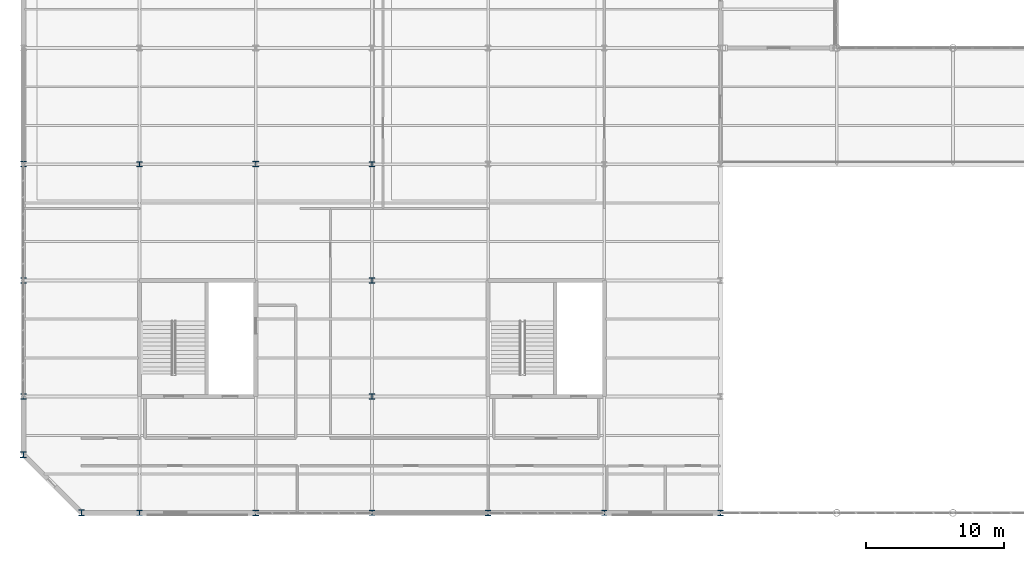
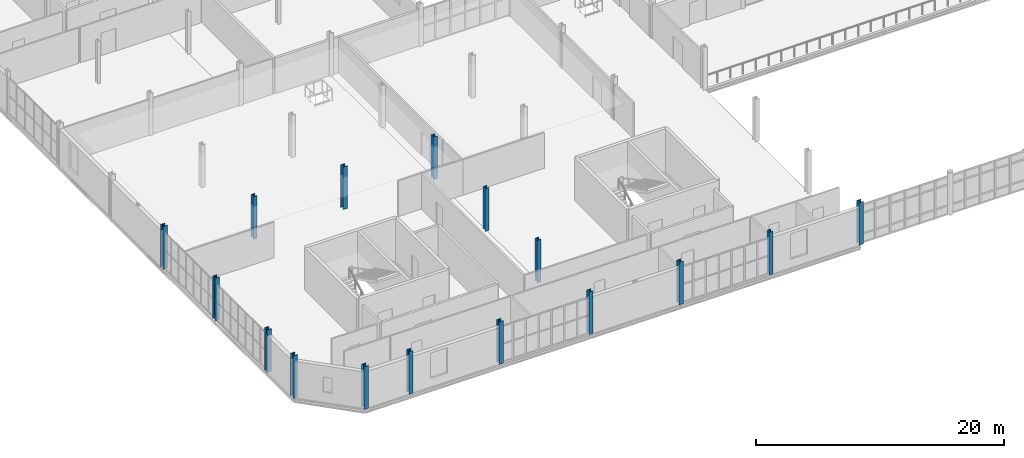
# One storey, part 1 of 163: 16 columns.
"""IFC4 building model written with IfcOpenShell, lengths in metres."""

from ifc_helpers import new_model, si_unit, direction, frame, origin, origin_2d, place, context, subcontext, project, spatial, i_section, extrude, material, material_profile, profile_set, type_object, element, save


model = new_model("IFC4")

# Units and contexts
model_context = context("Model", 3, precision=1e-05, world=origin(), true_north=direction((0.0, 1.0)))
body_context = subcontext(model_context, "Body", "Model", "MODEL_VIEW")
ifc_project = project(units=[si_unit("LENGTHUNIT", "METRE"), si_unit("AREAUNIT", "SQUARE_METRE"), si_unit("VOLUMEUNIT", "CUBIC_METRE"), si_unit("PLANEANGLEUNIT", "RADIAN"), si_unit("MASSUNIT", "GRAM", prefix="KILO")], contexts=[model_context])

# Site, building, storey
site_placement = place(None, origin())
site = spatial("IfcSite", under=ifc_project, at=site_placement, CompositionType="ELEMENT")
building_placement = place(site_placement, origin())
building = spatial("IfcBuilding", under=site, at=building_placement, Name="Qalvenar Corner Mobility Hub", CompositionType="ELEMENT")
storey_placement = place(building_placement, frame((0.0, 0.0, 4.800048828125)))
storey = spatial("IfcBuildingStorey", under=building, at=storey_placement, Name="L01", CompositionType="ELEMENT", Elevation=4.800048828125)

# Columns
ifc_material = material(Name="Steel S355", Category="steel")
ifc_material_profile_1 = material_profile(ifc_material, i_section(OverallWidth=0.376953125, OverallDepth=0.386962890625, WebThickness=0.0224609375, FlangeThickness=0.035888671875, FilletRadius=0.014892578125, at=origin_2d()), Name="HD360x262")
ifc_profile_set_1 = profile_set([ifc_material_profile_1], Name="Steel S355")
column_type_1 = type_object("IfcColumnType", Name="COL-HD360X262", PredefinedType="COLUMN", material=ifc_profile_set_1)
for number, where, z_axis, x_axis, name in (
    (1, (8.39990234375, 0.0, 0.0), (0.0, 0.0, 1.0), (1.0, 0.0, 0.0), "Steel Column L01-G2-0"),
    (2, (8.39990234375, 25.199951171875, 0.0), (0.0, 0.0, 1.0), (1.0, 0.0, 0.0), "Steel Column L01-G2-3"),
    (3, (25.199951171875, 0.0, 0.0), (0.0, 0.0, 1.0), (1.0, 0.0, 0.0), "Steel Column L01-G4-0"),
    (4, (25.199951171875, 8.39990234375, 0.0), (0.0, 0.0, 1.0), (1.0, 0.0, 0.0), "Steel Column L01-G4-1"),
    (5, (25.199951171875, 16.800048828125, 0.0), (0.0, 0.0, 1.0), (1.0, 0.0, 0.0), "Steel Column L01-G4-2"),
    (6, (25.199951171875, 25.199951171875, 0.0), (0.0, 0.0, 1.0), (1.0, 0.0, 0.0), "Steel Column L01-G4-3"),
    (7, (42.0, 0.0, 0.0), (0.0, 0.0, 1.0), (1.0, 0.0, 0.0), "Steel Column L01-G6-0"),
):
    element("IfcColumn", number, at=place(storey_placement, frame(where, z_axis=z_axis, x_axis=x_axis)), inside=storey, type_object=column_type_1, Name=name, PredefinedType="COLUMN", context=body_context, shape_type="SweptSolid", body=[
        extrude(i_section(OverallWidth=0.376953125, OverallDepth=0.386962890625, WebThickness=0.0224609375, FlangeThickness=0.035888671875, FilletRadius=0.014892578125, at=origin_2d()), origin(), (0.0, 0.0, 1.0), 4.199951171875),
    ])
ifc_material_profile_2 = material_profile(ifc_material, i_section(OverallWidth=0.40087890625, OverallDepth=0.39892578125, WebThickness=0.02490234375, FlangeThickness=0.03955078125, FilletRadius=0.014892578125, at=origin_2d()), Name="HD400x314")
ifc_profile_set_2 = profile_set([ifc_material_profile_2], Name="Steel S355")
column_type_2 = type_object("IfcColumnType", Name="COL-HD400X314", PredefinedType="COLUMN", material=ifc_profile_set_2)
for number, where, z_axis, x_axis, name in (
    (8, (0.0, 8.39990234375, 0.0), (0.0, 0.0, 1.0), (1.0, 0.0, 0.0), "Steel Column L01-G1-1"),
    (9, (0.0, 16.800048828125, 0.0), (0.0, 0.0, 1.0), (1.0, 0.0, 0.0), "Steel Column L01-G1-2"),
    (10, (0.0, 25.199951171875, 0.0), (0.0, 0.0, 1.0), (1.0, 0.0, 0.0), "Steel Column L01-G1-3"),
    (11, (16.800048828125, 0.0, 0.0), (0.0, 0.0, 1.0), (1.0, 0.0, 0.0), "Steel Column L01-G3-0"),
    (12, (16.800048828125, 25.199951171875, 0.0), (0.0, 0.0, 1.0), (1.0, 0.0, 0.0), "Steel Column L01-G3-3"),
    (13, (33.60009765625, 0.0, 0.0), (0.0, 0.0, 1.0), (1.0, 0.0, 0.0), "Steel Column L01-G5-0"),
    (14, (50.39990234375, 0.0, 0.0), (0.0, 0.0, 1.0), (1.0, 0.0, 0.0), "Steel Column L01-G7-0"),
):
    element("IfcColumn", number, at=place(storey_placement, frame(where, z_axis=z_axis, x_axis=x_axis)), inside=storey, type_object=column_type_2, Name=name, PredefinedType="COLUMN", context=body_context, shape_type="SweptSolid", body=[
        extrude(i_section(OverallWidth=0.40087890625, OverallDepth=0.39892578125, WebThickness=0.02490234375, FlangeThickness=0.03955078125, FilletRadius=0.014892578125, at=origin_2d()), origin(), (0.0, 0.0, 1.0), 4.199951171875),
    ])
ifc_material_profile_3 = material_profile(ifc_material, i_section(OverallWidth=0.412109375, OverallDepth=0.455078125, WebThickness=0.030517578125, FlangeThickness=0.049072265625, FilletRadius=0.014892578125, at=origin_2d()), Name="HD400x421")
ifc_profile_set_3 = profile_set([ifc_material_profile_3], Name="Steel S355")
column_type_3 = type_object("IfcColumnType", Name="COL-HD400X382", PredefinedType="COLUMN", material=ifc_profile_set_3)
for number, where, z_axis, x_axis, name in (
    (15, (4.199951171875, 0.0, 0.0), (0.0, 0.0, 1.0), (1.0, 0.0, 0.0), "Steel Column L01-SPL-S"),
    (16, (0.0, 4.199951171875, 0.0), (0.0, 0.0, 1.0), (1.0, 0.0, 0.0), "Steel Column L01-SPL-W"),
):
    element("IfcColumn", number, at=place(storey_placement, frame(where, z_axis=z_axis, x_axis=x_axis)), inside=storey, type_object=column_type_3, Name=name, PredefinedType="COLUMN", context=body_context, shape_type="SweptSolid", body=[
        extrude(i_section(OverallWidth=0.412109375, OverallDepth=0.455078125, WebThickness=0.030517578125, FlangeThickness=0.049072265625, FilletRadius=0.014892578125, at=origin_2d()), origin(), (0.0, 0.0, 1.0), 4.199951171875),
    ])

save(model, "model.ifc")
